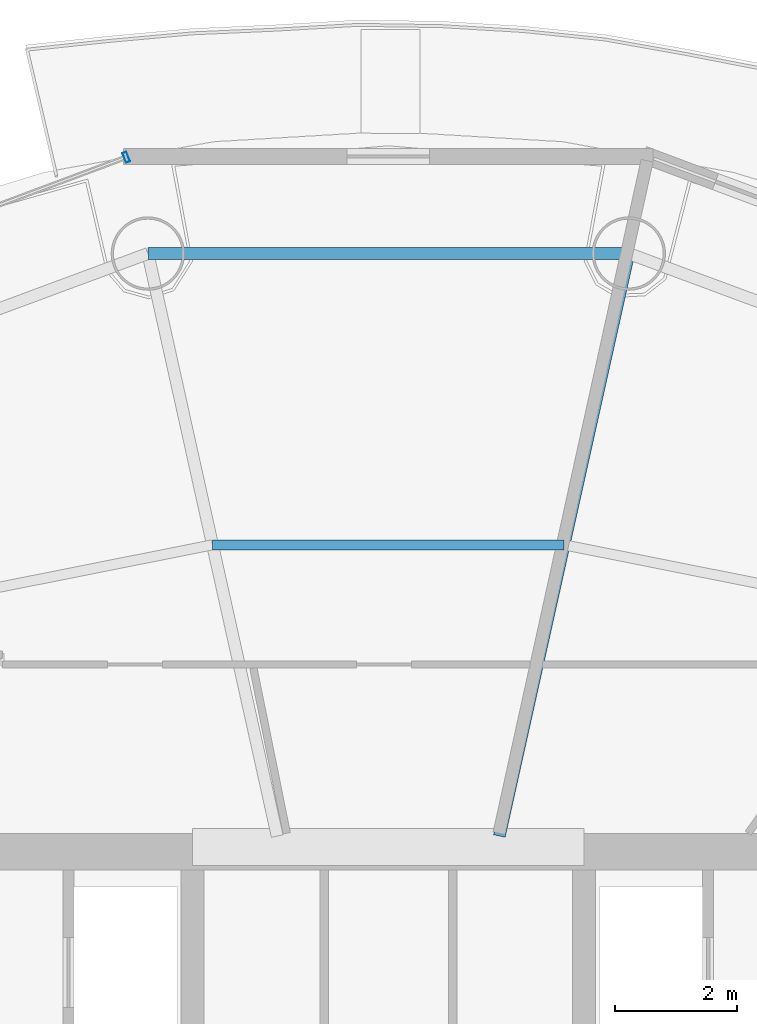
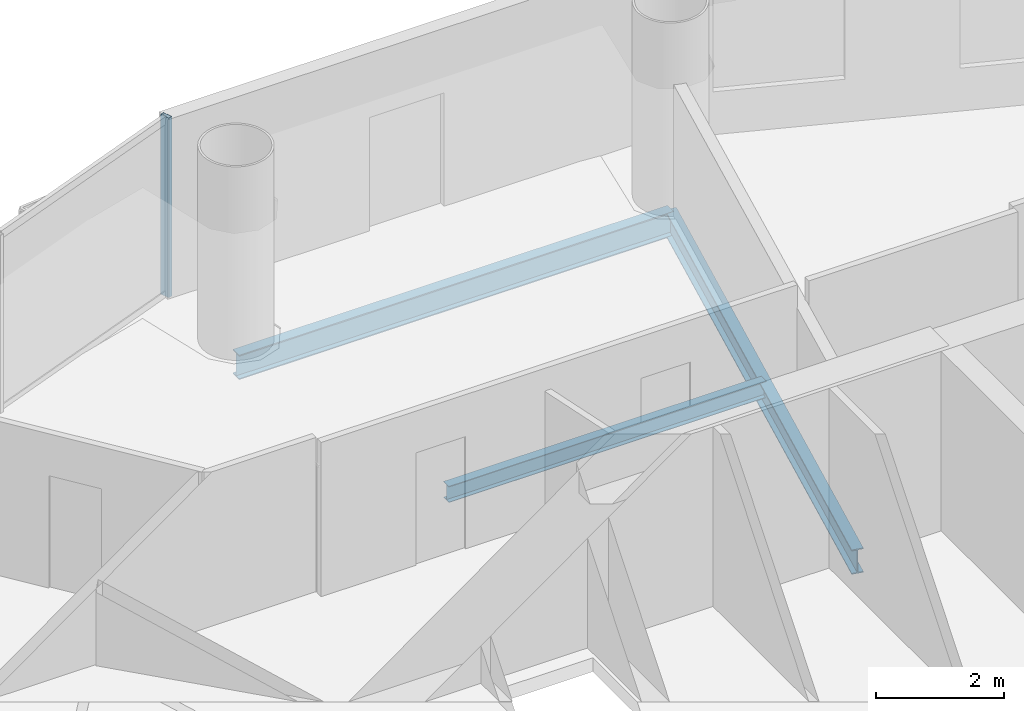
# One storey, part 16 of 26: 3 beams, 1 member, 1 element without a shape of its own.
"""IFC4 building model written with IfcOpenShell, lengths in metres."""

from ifc_helpers import new_model, si_unit, direction, frame, origin, origin_2d, place, context, subcontext, project, spatial, hollow_rectangle, i_section, extrude, source, transform, mapped, material, material_profile, profile_set, type_object, element, aggregate, save


model = new_model("IFC4")

# Units and contexts
model_context = context("Model", 3, precision=1e-05, world=origin(), true_north=direction((-0.2419218956, 0.970295726276)))
body_context = subcontext(model_context, "Body", "Model", "MODEL_VIEW")
ifc_project = project(units=[si_unit("LENGTHUNIT", "METRE"), si_unit("AREAUNIT", "SQUARE_METRE"), si_unit("VOLUMEUNIT", "CUBIC_METRE"), si_unit("PLANEANGLEUNIT", "RADIAN"), si_unit("MASSUNIT", "GRAM", prefix="KILO")], contexts=[model_context])

# Site, building, storey
site_placement = place(None, origin())
site = spatial("IfcSite", under=ifc_project, at=site_placement, CompositionType="ELEMENT")
building_placement = place(site_placement, origin())
building = spatial("IfcBuilding", under=site, at=building_placement, Name="Cobrevalo Terracotta Tower", CompositionType="ELEMENT")
storey_placement = place(building_placement, frame((0.0, 0.0, 213.39990234375)))
storey = spatial("IfcBuildingStorey", under=building, at=storey_placement, Name="L56", CompositionType="ELEMENT", Elevation=213.39990234375)

# Beams
ifc_material_1 = material(Name="Steel S355", Category="steel")
ifc_material_profile_1 = material_profile(ifc_material_1, i_section(OverallWidth=0.194091796875, OverallDepth=0.468994140625, WebThickness=0.011474609375, FlangeThickness=0.0205078125, at=origin_2d()), Name="W 460x106")
ifc_profile_set_1 = profile_set([ifc_material_profile_1], Name="Steel S355")
beam_type_1 = type_object("IfcBeamType", Name="Structural Beam W 460x106 (Steel S355)", PredefinedType="BEAM", material=ifc_profile_set_1)
beam_1_placement = place(storey_placement, frame((41.93115234375, 44.503173828125, -0.49951171875), z_axis=(-0.216782061165, -0.976220025382, 0.0), x_axis=(0.976220025382, -0.216782061165, 0.0)))
element("IfcBeam", 1, at=beam_1_placement, inside=storey, type_object=beam_type_1, Name="L56 radial floor girder 04", PredefinedType="BEAM", context=body_context, shape_type="SweptSolid", body=[
    extrude(i_section(OverallWidth=0.194091796875, OverallDepth=0.468994140625, WebThickness=0.011474609375, FlangeThickness=0.0205078125, at=origin_2d()), origin(), (0.0, 0.0, 1.0), 9.755126953125),
])
ifc_material_profile_2 = material_profile(ifc_material_1, i_section(OverallWidth=0.1650390625, OverallDepth=0.31005859375, WebThickness=0.005859375, FlangeThickness=0.009765625, at=origin_2d()), Name="W 310x38.7")
ifc_profile_set_2 = profile_set([ifc_material_profile_2], Name="Steel S355")
beam_type_2 = type_object("IfcBeamType", Name="Structural Joist W 310x38.7 (Steel S355)", PredefinedType="JOIST", material=ifc_profile_set_2)
beam_2_placement = place(storey_placement, frame((40.873779296875, 39.74169921875, -0.419921875), z_axis=(-1.0, 0.0, 0.0), x_axis=(0.0, -1.0, 0.0)))
element("IfcBeam", 2, at=beam_2_placement, inside=storey, type_object=beam_type_2, Name="L56 circumferential secondary floor joist 04", PredefinedType="JOIST", context=body_context, shape_type="SweptSolid", body=[
    extrude(i_section(OverallWidth=0.1650390625, OverallDepth=0.31005859375, WebThickness=0.005859375, FlangeThickness=0.009765625, at=origin_2d()), origin(), (0.0, 0.0, 1.0), 5.74755859375),
])
ifc_material_profile_3 = material_profile(ifc_material_1, i_section(OverallWidth=0.194091796875, OverallDepth=0.468994140625, WebThickness=0.011474609375, FlangeThickness=0.0205078125, at=origin_2d()), Name="W 460x106")
ifc_profile_set_3 = profile_set([ifc_material_profile_3], Name="Steel S355")
beam_type_3 = type_object("IfcBeamType", Name="Structural Spandrel W 460x106 (Steel S355)", PredefinedType="SPANDREL", material=ifc_profile_set_3)
beam_3_placement = place(storey_placement, frame((41.93115234375, 44.503173828125, -0.49951171875), z_axis=(-1.0, 0.0, 0.0), x_axis=(0.0, -1.0, 0.0)))
element("IfcBeam", 3, at=beam_3_placement, inside=storey, type_object=beam_type_3, Name="L56 perimeter ring spandrel 04", PredefinedType="SPANDREL", context=body_context, shape_type="SweptSolid", body=[
    extrude(i_section(OverallWidth=0.194091796875, OverallDepth=0.468994140625, WebThickness=0.011474609375, FlangeThickness=0.0205078125, at=origin_2d()), origin(), (0.0, 0.0, 1.0), 7.8623046875),
])

# Curtain wall, member
ifc_material_2 = material(Name="Anodized aluminium", Category="aluminium")
curtain_wall_type = type_object("IfcCurtainWallType", Name="Mid-tower high-wind unitised curtain wall CW-U2", PredefinedType="NOTDEFINED", material=ifc_material_2)
curtain_wall_placement = place(storey_placement, origin())
curtain_wall = element("IfcCurtainWall", 4, at=curtain_wall_placement, inside=storey, type_object=curtain_wall_type, Name="L56 curtain wall CW-L56-S05", PredefinedType="NOTDEFINED")
ifc_material_profile_4 = material_profile(ifc_material_2, hollow_rectangle(XDim=0.070068359375, YDim=0.169921875, WallThickness=0.00439453125, at=origin_2d()), Name="CWM 70x170")
ifc_profile_set_4 = profile_set([ifc_material_profile_4], Name="Anodized aluminium")
member_type = type_object("IfcMemberType", Name="Upper tower unitised mullion 70x170", PredefinedType="MULLION", material=ifc_profile_set_4)
shared_shape = source(origin(), body_context, "Body", "SweptSolid", [
    extrude(hollow_rectangle(XDim=0.070068359375, YDim=0.169921875, WallThickness=0.00439453125, at=origin_2d()), origin(), (0.0, 0.0, 1.0), 3.43505859375),
])
member_placement = place(storey_placement, frame((33.71533203125, 46.078125, 0.0), z_axis=(0.0, 0.0, 1.0), x_axis=(-0.936556004584, -0.350517974259, 0.0)))
member = element("IfcMember", 5, at=member_placement, type_object=member_type, Name="CW-L56-S05 vertical mullion 01", PredefinedType="MULLION", context=body_context, shape_type="MappedRepresentation", body=[
    mapped(shared_shape, transform((0.0, 0.0, 0.0), scale=1.0)),
])
aggregate(curtain_wall, [member])

save(model, "model.ifc")
